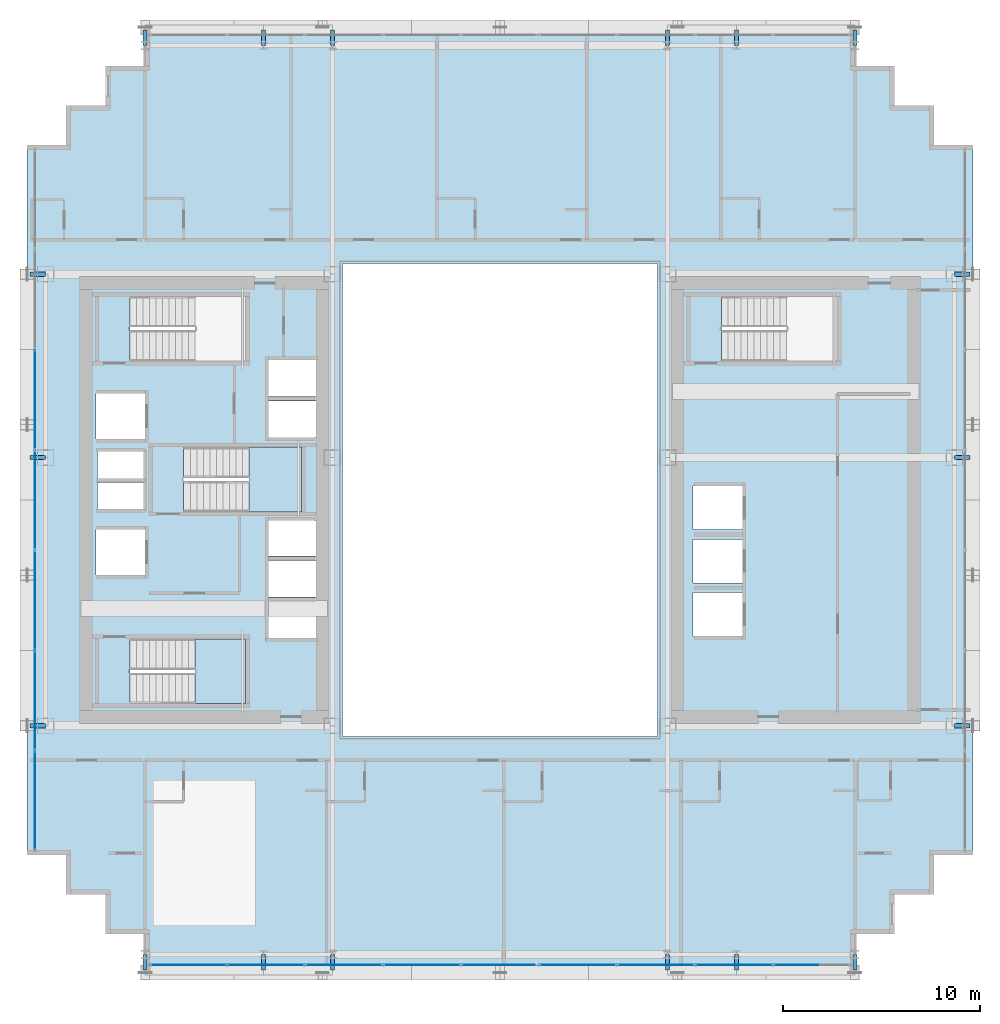
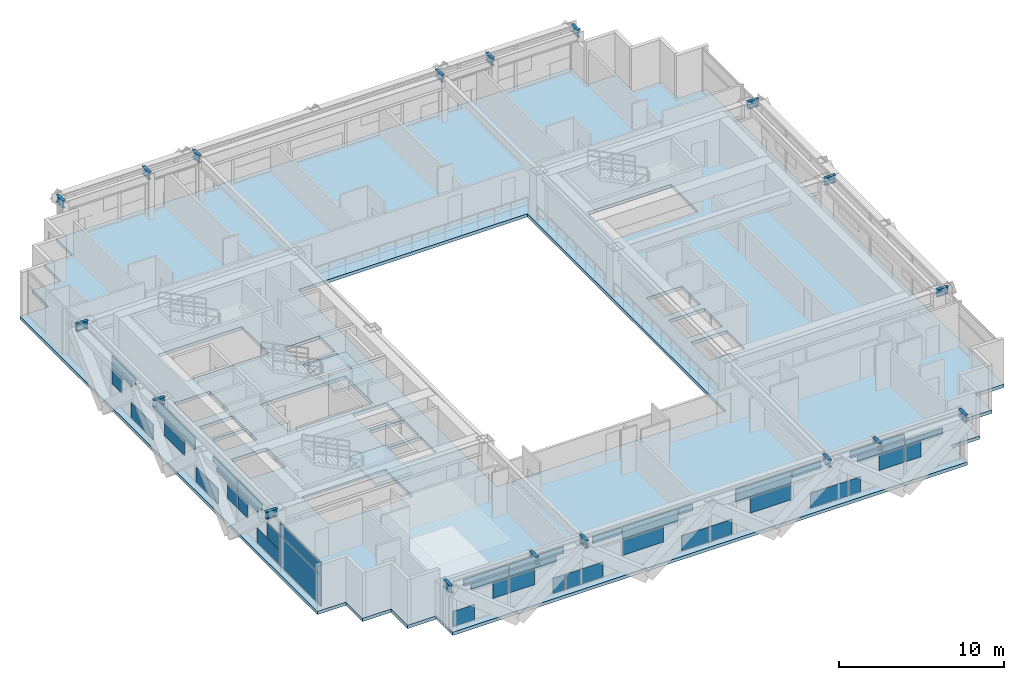
# One storey, part 23 of 34: 41 plates, 18 beams, 3 slabs, 4 elements without a shape of their own.
"""IFC4 building model written with IfcOpenShell, lengths in metres."""

from ifc_helpers import new_model, si_unit, direction, frame, origin, origin_2d, place, context, subcontext, project, spatial, polyline, rectangle, i_section, outline, extrude, source, transform, mapped, material, layer, layer_set, material_profile, profile_set, type_object, element, aggregate, save


model = new_model("IFC4")

# Units and contexts
model_context = context("Model", 3, precision=1e-05, world=origin(), true_north=direction((0.0, 1.0)))
body_context = subcontext(model_context, "Body", "Model", "MODEL_VIEW")
ifc_project = project(units=[si_unit("LENGTHUNIT", "METRE"), si_unit("AREAUNIT", "SQUARE_METRE"), si_unit("VOLUMEUNIT", "CUBIC_METRE"), si_unit("PLANEANGLEUNIT", "RADIAN"), si_unit("MASSUNIT", "GRAM", prefix="KILO")], contexts=[model_context])

# Site, building, storey
site_placement = place(None, origin())
site = spatial("IfcSite", under=ifc_project, at=site_placement, CompositionType="ELEMENT")
building_placement = place(site_placement, origin())
building = spatial("IfcBuilding", under=site, at=building_placement, Name="Ocotamira Hotel", CompositionType="ELEMENT")
storey_placement = place(building_placement, frame((0.0, 0.0, 108.0)))
storey = spatial("IfcBuildingStorey", under=building, at=storey_placement, Name="L26", CompositionType="ELEMENT", Elevation=108.0)

# Beams
ifc_material_1 = material(Name="Steel ASTM A992 Grade 50", Category="steel")
ifc_material_profile = material_profile(ifc_material_1, i_section(OverallWidth=0.2099609375, OverallDepth=0.537109375, WebThickness=0.010986328125, FlangeThickness=0.017333984375, FilletRadius=0.012939453125, at=origin_2d()), Name="W21X68")
ifc_profile_set = profile_set([ifc_material_profile], Name="Steel ASTM A992 Grade 50")
beam_type = type_object("IfcBeamType", Name="BM-SEC-W21X68", PredefinedType="JOIST", material=ifc_profile_set)
shared_shape_1 = source(origin(), body_context, "Body", "SweptSolid", [
    extrude(i_section(OverallWidth=0.2099609375, OverallDepth=0.537109375, WebThickness=0.010986328125, FlangeThickness=0.017333984375, FilletRadius=0.012939453125, at=origin_2d()), origin(), (0.0, 0.0, 1.0), 0.800048828125),
])
for number, where, z_axis, x_axis, name in (
    (1, (14.0, 2.949951171875, 3.091552734375), (0.0, -1.0, 0.0), (1.0, 0.0, 0.0), "L26 South Edge Header X14"),
    (2, (14.0, 49.050048828125, 3.091552734375), (0.0, 1.0, 0.0), (-1.0, 0.0, 0.0), "L26 North Edge Header X14"),
    (3, (20.0, 2.949951171875, 3.091552734375), (0.0, -1.0, 0.0), (1.0, 0.0, 0.0), "L26 South Edge Header X20"),
    (4, (20.0, 49.050048828125, 3.091552734375), (0.0, 1.0, 0.0), (-1.0, 0.0, 0.0), "L26 North Edge Header X20"),
    (5, (23.5, 2.949951171875, 3.091552734375), (0.0, -1.0, 0.0), (1.0, 0.0, 0.0), "L26 South Edge Header X23.5"),
    (6, (23.5, 49.050048828125, 3.091552734375), (0.0, 1.0, 0.0), (-1.0, 0.0, 0.0), "L26 North Edge Header X23.5"),
    (7, (40.5, 2.949951171875, 3.091552734375), (0.0, -1.0, 0.0), (1.0, 0.0, 0.0), "L26 South Edge Header X40.5"),
    (8, (40.5, 49.050048828125, 3.091552734375), (0.0, 1.0, 0.0), (-1.0, 0.0, 0.0), "L26 North Edge Header X40.5"),
    (9, (44.0, 2.949951171875, 3.091552734375), (0.0, -1.0, 0.0), (1.0, 0.0, 0.0), "L26 South Edge Header X44"),
    (10, (44.0, 49.050048828125, 3.091552734375), (0.0, 1.0, 0.0), (-1.0, 0.0, 0.0), "L26 North Edge Header X44"),
    (11, (50.0, 2.949951171875, 3.091552734375), (0.0, -1.0, 0.0), (1.0, 0.0, 0.0), "L26 South Edge Header X50"),
    (12, (50.0, 49.050048828125, 3.091552734375), (0.0, 1.0, 0.0), (-1.0, 0.0, 0.0), "L26 North Edge Header X50"),
    (13, (8.949951171875, 14.550048828125, 3.091552734375), (-1.0, 0.0, 0.0), (0.0, -1.0, 0.0), "L26 West Edge Header Y14.55"),
    (14, (55.050048828125, 14.550048828125, 3.091552734375), (1.0, 0.0, 0.0), (0.0, 1.0, 0.0), "L26 East Edge Header Y14.55"),
    (15, (8.949951171875, 28.14990234375, 3.091552734375), (-1.0, 0.0, 0.0), (0.0, -1.0, 0.0), "L26 West Edge Header Y28.15"),
    (16, (55.050048828125, 28.14990234375, 3.091552734375), (1.0, 0.0, 0.0), (0.0, 1.0, 0.0), "L26 East Edge Header Y28.15"),
    (17, (8.949951171875, 37.449951171875, 3.091552734375), (-1.0, 0.0, 0.0), (0.0, -1.0, 0.0), "L26 West Edge Header Y37.45"),
    (18, (55.050048828125, 37.449951171875, 3.091552734375), (1.0, 0.0, 0.0), (0.0, 1.0, 0.0), "L26 East Edge Header Y37.45"),
):
    element("IfcBeam", number, at=place(storey_placement, frame(where, z_axis=z_axis, x_axis=x_axis)), inside=storey, type_object=beam_type, Name=name, PredefinedType="JOIST", context=body_context, shape_type="MappedRepresentation", body=[
        mapped(shared_shape_1, transform((0.0, 0.0, 0.0), scale=1.0)),
    ])

# Stair, slab
ifc_material_2 = material(Name="Concrete C40/50", Category="concrete")
stair_type = type_object("IfcStairType", Name="ST-CORE-1560", PredefinedType="HALF_TURN_STAIR", material=ifc_material_2)
stair_1_placement = place(storey_placement, origin())
stair_1 = element("IfcStair", 19, at=stair_1_placement, inside=storey, type_object=stair_type, Name="L26 Exit Stair ST-1", PredefinedType="HALF_TURN_STAIR")
ifc_layer_1 = layer(ifc_material_2, 0.199951171875)
ifc_layer_set_1 = layer_set([ifc_layer_1], Name="Concrete C40/50")
slab_type_1 = type_object("IfcSlabType", Name="SLB-LAND-200", PredefinedType="LANDING", material=ifc_layer_set_1)
slab_1_placement = place(storey_placement, frame((0.0, 0.0, 1.60009765625)))
slab_1 = element("IfcSlab", 20, at=slab_1_placement, type_object=slab_type_1, Name="ST-1 landing 1", PredefinedType="LANDING", context=body_context, shape_type="SweptSolid", body=[
    extrude(outline(polyline([(16.530029296875, 15.669921875), (19.090087890625, 15.669921875), (19.090087890625, 18.949951171875), (16.530029296875, 18.949951171875), (16.530029296875, 15.669921875)])), origin(), (0.0, 0.0, 1.0), 0.199951171875),
])
aggregate(stair_1, [slab_1])

stair_2_placement = place(storey_placement, origin())
stair_2 = element("IfcStair", 21, at=stair_2_placement, inside=storey, type_object=stair_type, Name="L26 Exit Stair ST-3", PredefinedType="HALF_TURN_STAIR")
slab_2_placement = place(storey_placement, frame((0.0, 0.0, 1.60009765625)))
slab_2 = element("IfcSlab", 22, at=slab_2_placement, type_object=slab_type_1, Name="ST-3 landing 1", PredefinedType="LANDING", context=body_context, shape_type="SweptSolid", body=[
    extrude(outline(polyline([(19.260009765625, 25.39990234375), (21.919921875, 25.39990234375), (21.919921875, 28.679931640625), (19.260009765625, 28.679931640625), (19.260009765625, 25.39990234375)])), origin(), (0.0, 0.0, 1.0), 0.199951171875),
])
aggregate(stair_2, [slab_2])

# Slab
ifc_layer_2 = layer(ifc_material_2, 0.239990234375)
ifc_layer_set_2 = layer_set([ifc_layer_2], Name="Concrete C40/50")
slab_type_2 = type_object("IfcSlabType", Name="SLB-TYP-240", PredefinedType="FLOOR", material=ifc_layer_set_2)
slab_3_placement = place(storey_placement, frame((0.0, 0.0, -0.239990234375)))
element("IfcSlab", 23, at=slab_3_placement, inside=storey, type_object=slab_type_2, Name="L26 Structural Floor Slab", PredefinedType="FLOOR", context=body_context, shape_type="SweptSolid", body=[
    extrude(outline(polyline([(14.0, 2.0), (50.0, 2.0), (50.0, 4.0), (52.0, 4.0), (52.0, 6.0), (54.0, 6.0), (54.0, 8.0), (56.0, 8.0), (56.0, 44.0), (54.0, 44.0), (54.0, 46.0), (52.0, 46.0), (52.0, 48.0), (50.0, 48.0), (50.0, 50.0), (14.0, 50.0), (14.0, 48.0), (12.0, 48.0), (12.0, 46.0), (10.0, 46.0), (10.0, 44.0), (8.0, 44.0), (8.0, 8.0), (10.0, 8.0), (10.0, 6.0), (12.0, 6.0), (12.0, 4.0), (14.0, 4.0), (14.0, 2.0)]), holes=[polyline([(24.0, 14.0), (40.0, 14.0), (40.0, 38.0), (24.0, 38.0), (24.0, 14.0)]), polyline([(13.22998046875, 15.669921875), (19.090087890625, 15.669921875), (19.090087890625, 18.949951171875), (13.22998046875, 18.949951171875), (13.22998046875, 15.669921875)]), polyline([(13.22998046875, 33.050048828125), (19.090087890625, 33.050048828125), (19.090087890625, 36.330078125), (13.22998046875, 36.330078125), (13.22998046875, 33.050048828125)]), polyline([(15.9599609375, 25.39990234375), (21.919921875, 25.39990234375), (21.919921875, 28.679931640625), (15.9599609375, 28.679931640625), (15.9599609375, 25.39990234375)]), polyline([(43.22998046875, 33.050048828125), (49.090087890625, 33.050048828125), (49.090087890625, 36.330078125), (43.22998046875, 36.330078125), (43.22998046875, 33.050048828125)]), polyline([(41.800048828125, 19.10009765625), (44.300048828125, 19.10009765625), (44.300048828125, 21.300048828125), (41.800048828125, 21.300048828125), (41.800048828125, 19.10009765625)]), polyline([(41.800048828125, 21.800048828125), (44.300048828125, 21.800048828125), (44.300048828125, 24.0), (41.800048828125, 24.0), (41.800048828125, 21.800048828125)]), polyline([(41.800048828125, 24.5), (44.300048828125, 24.5), (44.300048828125, 26.699951171875), (41.800048828125, 26.699951171875), (41.800048828125, 24.5)]), polyline([(20.25, 19.0), (22.659912109375, 19.0), (22.659912109375, 20.85009765625), (20.25, 20.85009765625), (20.25, 19.0)]), polyline([(20.25, 21.080078125), (22.659912109375, 21.080078125), (22.659912109375, 22.929931640625), (20.25, 22.929931640625), (20.25, 21.080078125)]), polyline([(20.25, 23.159912109375), (22.659912109375, 23.159912109375), (22.659912109375, 24.9599609375), (20.25, 24.9599609375), (20.25, 23.159912109375)]), polyline([(20.25, 29.179931640625), (22.659912109375, 29.179931640625), (22.659912109375, 31.030029296875), (20.25, 31.030029296875), (20.25, 29.179931640625)]), polyline([(20.25, 31.260009765625), (22.659912109375, 31.260009765625), (22.659912109375, 33.110107421875), (20.25, 33.110107421875), (20.25, 31.260009765625)]), polyline([(11.5, 22.199951171875), (14.0, 22.199951171875), (14.0, 24.5), (11.5, 24.5), (11.5, 22.199951171875)]), polyline([(11.5, 29.10009765625), (14.0, 29.10009765625), (14.0, 31.39990234375), (11.5, 31.39990234375), (11.5, 29.10009765625)]), polyline([(11.580078125, 25.550048828125), (13.919921875, 25.550048828125), (13.919921875, 26.89990234375), (11.580078125, 26.89990234375), (11.580078125, 25.550048828125)]), polyline([(11.580078125, 27.10009765625), (13.919921875, 27.10009765625), (13.919921875, 28.449951171875), (11.580078125, 28.449951171875), (11.580078125, 27.10009765625)])]), origin(), (0.0, 0.0, 1.0), 0.239990234375),
])

# Curtain wall, plate
ifc_material_3 = material(Name="Anodised pale-metal aluminium and solar glass", Category="aluminium")
ifc_layer_3 = layer(ifc_material_3, 0.179931640625)
ifc_layer_set_3 = layer_set([ifc_layer_3], Name="Anodised pale-metal aluminium and solar glass")
curtain_wall_type = type_object("IfcCurtainWallType", Name="CW-SYS3-Z2", PredefinedType="NOTDEFINED", material=ifc_layer_set_3)
curtain_wall_1_placement = place(storey_placement, origin())
curtain_wall_1 = element("IfcCurtainWall", 24, at=curtain_wall_1_placement, inside=storey, type_object=curtain_wall_type, Name="L26 Curtain Wall CW-3 CW-L26-W", PredefinedType="NOTDEFINED")
ifc_material_4 = material(Name="Double-silver low-E insulated solar glass", Category="glass")
ifc_layer_4 = layer(ifc_material_4, 0.031982421875)
ifc_layer_set_4 = layer_set([ifc_layer_4], Name="Double-silver low-E insulated solar glass")
plate_type = type_object("IfcPlateType", Name="CWP-VISION-32", PredefinedType="CURTAIN_PANEL", material=ifc_layer_set_4)
shared_shape_2 = source(origin(), body_context, "Body", "SweptSolid", [
    extrude(rectangle(XDim=4.9658203125, YDim=0.031982421875, at=origin_2d()), origin(), (0.0, 0.0, 1.0), 2.237548828125),
])
plate_1_placement = place(storey_placement, frame((8.419921875, 10.762939453125, 0.0751953125), z_axis=(0.0, 0.0, 1.0), x_axis=(0.0, 1.0, 0.0)))
plate_1 = element("IfcPlate", 25, at=plate_1_placement, type_object=plate_type, Name="CW-3 panel 1.1", PredefinedType="CURTAIN_PANEL", context=body_context, shape_type="MappedRepresentation", body=[
    mapped(shared_shape_2, transform((0.0, 0.0, 0.0), scale=1.0)),
])

# Curtain wall, plates
curtain_wall_2_placement = place(storey_placement, origin())
curtain_wall_2 = element("IfcCurtainWall", 26, at=curtain_wall_2_placement, inside=storey, type_object=curtain_wall_type, Name="L26 Curtain Wall CW-3 CW-L26-S1", PredefinedType="NOTDEFINED")
shared_shape_3 = source(origin(), body_context, "Body", "SweptSolid", [
    extrude(rectangle(XDim=3.87548828125, YDim=0.031982421875, at=origin_2d()), origin(), (0.0, 0.0, 1.0), 0.8974609375),
])
plate_2_placement = place(storey_placement, frame((28.04443359375, 2.419921875, 2.387451171875), z_axis=(0.0, 0.0, 1.0), x_axis=(1.0, 0.0, 0.0)))
plate_2 = element("IfcPlate", 27, at=plate_2_placement, type_object=plate_type, Name="CW-3 panel 4.2", PredefinedType="CURTAIN_PANEL", context=body_context, shape_type="MappedRepresentation", body=[
    mapped(shared_shape_3, transform((0.0, 0.0, 0.0), scale=1.0)),
])
plate_3_placement = place(storey_placement, frame((35.95556640625, 2.419921875, 2.387451171875), z_axis=(0.0, 0.0, 1.0), x_axis=(1.0, 0.0, 0.0)))
plate_3 = element("IfcPlate", 28, at=plate_3_placement, type_object=plate_type, Name="CW-3 panel 6.2", PredefinedType="CURTAIN_PANEL", context=body_context, shape_type="MappedRepresentation", body=[
    mapped(shared_shape_3, transform((0.0, 0.0, 0.0), scale=1.0)),
])

# Plate
shared_shape_4 = source(origin(), body_context, "Body", "SweptSolid", [
    extrude(rectangle(XDim=4.9658203125, YDim=0.031982421875, at=origin_2d()), origin(), (0.0, 0.0, 1.0), 0.8974609375),
])
plate_4_placement = place(storey_placement, frame((8.419921875, 10.762939453125, 2.387451171875), z_axis=(0.0, 0.0, 1.0), x_axis=(0.0, 1.0, 0.0)))
plate_4 = element("IfcPlate", 29, at=plate_4_placement, type_object=plate_type, Name="CW-3 panel 1.2", PredefinedType="CURTAIN_PANEL", context=body_context, shape_type="MappedRepresentation", body=[
    mapped(shared_shape_4, transform((0.0, 0.0, 0.0), scale=1.0)),
])

shared_shape_5 = source(origin(), body_context, "Body", "SweptSolid", [
    extrude(rectangle(XDim=2.404296875, YDim=0.031982421875, at=origin_2d()), origin(), (0.0, 0.0, 1.0), 1.118896484375),
])
plate_5_placement = place(storey_placement, frame((8.419921875, 26.0, 1.19384765625), z_axis=(0.0, 0.0, 1.0), x_axis=(0.0, 1.0, 0.0)))
plate_5 = element("IfcPlate", 30, at=plate_5_placement, type_object=plate_type, Name="CW-3 panel 4.1.1", PredefinedType="CURTAIN_PANEL", context=body_context, shape_type="MappedRepresentation", body=[
    mapped(shared_shape_5, transform((0.0, 0.0, 0.0), scale=1.0)),
])

shared_shape_6 = source(origin(), body_context, "Body", "SweptSolid", [
    extrude(rectangle(XDim=3.104248046875, YDim=0.031982421875, at=origin_2d()), origin(), (0.0, 0.0, 1.0), 0.4716796875),
])
plate_6_placement = place(storey_placement, frame((16.5634765625, 2.419921875, 2.813232421875), z_axis=(0.0, 0.0, 1.0), x_axis=(1.0, 0.0, 0.0)))
plate_6 = element("IfcPlate", 31, at=plate_6_placement, type_object=plate_type, Name="CW-3 panel 1.2.1", PredefinedType="CURTAIN_PANEL", context=body_context, shape_type="MappedRepresentation", body=[
    mapped(shared_shape_6, transform((0.0, 0.0, 0.0), scale=1.0)),
])

shared_shape_7 = source(origin(), body_context, "Body", "SweptSolid", [
    extrude(rectangle(XDim=2.572021484375, YDim=0.031982421875, at=origin_2d()), origin(), (0.0, 0.0, 1.0), 0.39453125),
])
plate_7_placement = place(storey_placement, frame((16.82958984375, 2.419921875, 2.387451171875), z_axis=(0.0, 0.0, 1.0), x_axis=(1.0, 0.0, 0.0)))
plate_7 = element("IfcPlate", 32, at=plate_7_placement, type_object=plate_type, Name="CW-3 panel 1.2.2", PredefinedType="CURTAIN_PANEL", context=body_context, shape_type="MappedRepresentation", body=[
    mapped(shared_shape_7, transform((0.0, 0.0, 0.0), scale=1.0)),
])

plate_8_placement = place(storey_placement, frame((47.17041015625, 2.419921875, 2.387451171875), z_axis=(0.0, 0.0, 1.0), x_axis=(1.0, 0.0, 0.0)))
plate_8 = element("IfcPlate", 33, at=plate_8_placement, type_object=plate_type, Name="CW-3 panel 9.2.1", PredefinedType="CURTAIN_PANEL", context=body_context, shape_type="MappedRepresentation", body=[
    mapped(shared_shape_7, transform((0.0, 0.0, 0.0), scale=1.0)),
])

shared_shape_8 = source(origin(), body_context, "Body", "SweptSolid", [
    extrude(rectangle(XDim=3.260986328125, YDim=0.031982421875, at=origin_2d()), origin(), (0.0, 0.0, 1.0), 0.42578125),
])
plate_9_placement = place(storey_placement, frame((19.826171875, 2.419921875, 2.387451171875), z_axis=(0.0, 0.0, 1.0), x_axis=(1.0, 0.0, 0.0)))
plate_9 = element("IfcPlate", 34, at=plate_9_placement, type_object=plate_type, Name="CW-3 panel 2.2.1", PredefinedType="CURTAIN_PANEL", context=body_context, shape_type="MappedRepresentation", body=[
    mapped(shared_shape_8, transform((0.0, 0.0, 0.0), scale=1.0)),
])

plate_10_placement = place(storey_placement, frame((44.173828125, 2.419921875, 2.387451171875), z_axis=(0.0, 0.0, 1.0), x_axis=(1.0, 0.0, 0.0)))
plate_10 = element("IfcPlate", 35, at=plate_10_placement, type_object=plate_type, Name="CW-3 panel 8.2.2", PredefinedType="CURTAIN_PANEL", context=body_context, shape_type="MappedRepresentation", body=[
    mapped(shared_shape_8, transform((0.0, 0.0, 0.0), scale=1.0)),
])

shared_shape_9 = source(origin(), body_context, "Body", "SweptSolid", [
    extrude(rectangle(XDim=3.793212890625, YDim=0.031982421875, at=origin_2d()), origin(), (0.0, 0.0, 1.0), 0.4716796875),
])
plate_11_placement = place(storey_placement, frame((20.09228515625, 2.419921875, 2.813232421875), z_axis=(0.0, 0.0, 1.0), x_axis=(1.0, 0.0, 0.0)))
plate_11 = element("IfcPlate", 36, at=plate_11_placement, type_object=plate_type, Name="CW-3 panel 2.2.2", PredefinedType="CURTAIN_PANEL", context=body_context, shape_type="MappedRepresentation", body=[
    mapped(shared_shape_9, transform((0.0, 0.0, 0.0), scale=1.0)),
])

plate_12_placement = place(storey_placement, frame((43.90771484375, 2.419921875, 2.813232421875), z_axis=(0.0, 0.0, 1.0), x_axis=(1.0, 0.0, 0.0)))
plate_12 = element("IfcPlate", 37, at=plate_12_placement, type_object=plate_type, Name="CW-3 panel 8.2.1", PredefinedType="CURTAIN_PANEL", context=body_context, shape_type="MappedRepresentation", body=[
    mapped(shared_shape_9, transform((0.0, 0.0, 0.0), scale=1.0)),
])

shared_shape_10 = source(origin(), body_context, "Body", "SweptSolid", [
    extrude(rectangle(XDim=2.015380859375, YDim=0.031982421875, at=origin_2d()), origin(), (0.0, 0.0, 1.0), 0.4716796875),
])
plate_13_placement = place(storey_placement, frame((25.018798828125, 2.419921875, 2.813232421875), z_axis=(0.0, 0.0, 1.0), x_axis=(1.0, 0.0, 0.0)))
plate_13 = element("IfcPlate", 38, at=plate_13_placement, type_object=plate_type, Name="CW-3 panel 3.2.1", PredefinedType="CURTAIN_PANEL", context=body_context, shape_type="MappedRepresentation", body=[
    mapped(shared_shape_10, transform((0.0, 0.0, 0.0), scale=1.0)),
])

plate_14_placement = place(storey_placement, frame((38.981201171875, 2.419921875, 2.813232421875), z_axis=(0.0, 0.0, 1.0), x_axis=(1.0, 0.0, 0.0)))
plate_14 = element("IfcPlate", 39, at=plate_14_placement, type_object=plate_type, Name="CW-3 panel 7.2.1", PredefinedType="CURTAIN_PANEL", context=body_context, shape_type="MappedRepresentation", body=[
    mapped(shared_shape_10, transform((0.0, 0.0, 0.0), scale=1.0)),
])

shared_shape_11 = source(origin(), body_context, "Body", "SweptSolid", [
    extrude(rectangle(XDim=0.926513671875, YDim=0.031982421875, at=origin_2d()), origin(), (0.0, 0.0, 1.0), 0.4716796875),
])
plate_15_placement = place(storey_placement, frame((30.525390625, 2.419921875, 2.813232421875), z_axis=(0.0, 0.0, 1.0), x_axis=(1.0, 0.0, 0.0)))
plate_15 = element("IfcPlate", 40, at=plate_15_placement, type_object=plate_type, Name="CW-3 panel 5.2.1", PredefinedType="CURTAIN_PANEL", context=body_context, shape_type="MappedRepresentation", body=[
    mapped(shared_shape_11, transform((0.0, 0.0, 0.0), scale=1.0)),
])

shared_shape_12 = source(origin(), body_context, "Body", "SweptSolid", [
    extrude(rectangle(XDim=2.908203125, YDim=0.031982421875, at=origin_2d()), origin(), (0.0, 0.0, 1.0), 0.44873046875),
])
plate_16_placement = place(storey_placement, frame((8.419921875, 16.877197265625, 2.836181640625), z_axis=(0.0, 0.0, 1.0), x_axis=(0.0, 1.0, 0.0)))
plate_16 = element("IfcPlate", 41, at=plate_16_placement, type_object=plate_type, Name="CW-3 panel 2.2.1", PredefinedType="CURTAIN_PANEL", context=body_context, shape_type="MappedRepresentation", body=[
    mapped(shared_shape_12, transform((0.0, 0.0, 0.0), scale=1.0)),
])

shared_shape_13 = source(origin(), body_context, "Body", "SweptSolid", [
    extrude(rectangle(XDim=2.4326171875, YDim=0.031982421875, at=origin_2d()), origin(), (0.0, 0.0, 1.0), 0.414306640625),
])
plate_17_placement = place(storey_placement, frame((8.419921875, 17.115234375, 2.3876953125), z_axis=(0.0, 0.0, 1.0), x_axis=(0.0, 1.0, 0.0)))
plate_17 = element("IfcPlate", 42, at=plate_17_placement, type_object=plate_type, Name="CW-3 panel 2.2.2", PredefinedType="CURTAIN_PANEL", context=body_context, shape_type="MappedRepresentation", body=[
    mapped(shared_shape_13, transform((0.0, 0.0, 0.0), scale=1.0)),
])

shared_shape_14 = source(origin(), body_context, "Body", "SweptSolid", [
    extrude(rectangle(XDim=2.4228515625, YDim=0.031982421875, at=origin_2d()), origin(), (0.0, 0.0, 1.0), 0.414306640625),
])
plate_18_placement = place(storey_placement, frame((8.419921875, 19.622802734375, 2.3876953125), z_axis=(0.0, 0.0, 1.0), x_axis=(0.0, 1.0, 0.0)))
plate_18 = element("IfcPlate", 43, at=plate_18_placement, type_object=plate_type, Name="CW-3 panel 3.2.1", PredefinedType="CURTAIN_PANEL", context=body_context, shape_type="MappedRepresentation", body=[
    mapped(shared_shape_14, transform((0.0, 0.0, 0.0), scale=1.0)),
])

plate_19_placement = place(storey_placement, frame((8.419921875, 32.377197265625, 2.3876953125), z_axis=(0.0, 0.0, 1.0), x_axis=(0.0, 1.0, 0.0)))
plate_19 = element("IfcPlate", 44, at=plate_19_placement, type_object=plate_type, Name="CW-3 panel 5.2.2", PredefinedType="CURTAIN_PANEL", context=body_context, shape_type="MappedRepresentation", body=[
    mapped(shared_shape_14, transform((0.0, 0.0, 0.0), scale=1.0)),
])

shared_shape_15 = source(origin(), body_context, "Body", "SweptSolid", [
    extrude(rectangle(XDim=2.898681640625, YDim=0.031982421875, at=origin_2d()), origin(), (0.0, 0.0, 1.0), 0.44873046875),
])
plate_20_placement = place(storey_placement, frame((8.419921875, 19.860595703125, 2.836181640625), z_axis=(0.0, 0.0, 1.0), x_axis=(0.0, 1.0, 0.0)))
plate_20 = element("IfcPlate", 45, at=plate_20_placement, type_object=plate_type, Name="CW-3 panel 3.2.2", PredefinedType="CURTAIN_PANEL", context=body_context, shape_type="MappedRepresentation", body=[
    mapped(shared_shape_15, transform((0.0, 0.0, 0.0), scale=1.0)),
])

plate_21_placement = place(storey_placement, frame((8.419921875, 32.139404296875, 2.836181640625), z_axis=(0.0, 0.0, 1.0), x_axis=(0.0, 1.0, 0.0)))
plate_21 = element("IfcPlate", 46, at=plate_21_placement, type_object=plate_type, Name="CW-3 panel 5.2.1", PredefinedType="CURTAIN_PANEL", context=body_context, shape_type="MappedRepresentation", body=[
    mapped(shared_shape_15, transform((0.0, 0.0, 0.0), scale=1.0)),
])

shared_shape_16 = source(origin(), body_context, "Body", "SweptSolid", [
    extrude(rectangle(XDim=5.005615234375, YDim=0.031982421875, at=origin_2d()), origin(), (0.0, 0.0, 1.0), 0.8974609375),
])
plate_22_placement = place(storey_placement, frame((8.419921875, 26.0, 2.387451171875), z_axis=(0.0, 0.0, 1.0), x_axis=(0.0, 1.0, 0.0)))
plate_22 = element("IfcPlate", 47, at=plate_22_placement, type_object=plate_type, Name="CW-3 panel 4.2", PredefinedType="CURTAIN_PANEL", context=body_context, shape_type="MappedRepresentation", body=[
    mapped(shared_shape_16, transform((0.0, 0.0, 0.0), scale=1.0)),
])

shared_shape_17 = source(origin(), body_context, "Body", "SweptSolid", [
    extrude(rectangle(XDim=1.47509765625, YDim=0.031982421875, at=origin_2d()), origin(), (0.0, 0.0, 1.0), 1.11865234375),
])
plate_23_placement = place(storey_placement, frame((15.017578125, 2.419921875, 0.0751953125), z_axis=(0.0, 0.0, 1.0), x_axis=(1.0, 0.0, 0.0)))
plate_23 = element("IfcPlate", 48, at=plate_23_placement, type_object=plate_type, Name="CW-3 panel 1.1.1", PredefinedType="CURTAIN_PANEL", context=body_context, shape_type="MappedRepresentation", body=[
    mapped(shared_shape_17, transform((0.0, 0.0, 0.0), scale=1.0)),
])

shared_shape_18 = source(origin(), body_context, "Body", "SweptSolid", [
    extrude(rectangle(XDim=1.079833984375, YDim=0.031982421875, at=origin_2d()), origin(), (0.0, 0.0, 1.0), 1.118896484375),
])
plate_24_placement = place(storey_placement, frame((17.57568359375, 2.419921875, 1.19384765625), z_axis=(0.0, 0.0, 1.0), x_axis=(1.0, 0.0, 0.0)))
plate_24 = element("IfcPlate", 49, at=plate_24_placement, type_object=plate_type, Name="CW-3 panel 1.1.2", PredefinedType="CURTAIN_PANEL", context=body_context, shape_type="MappedRepresentation", body=[
    mapped(shared_shape_18, transform((0.0, 0.0, 0.0), scale=1.0)),
])

plate_25_placement = place(storey_placement, frame((46.42431640625, 2.419921875, 1.19384765625), z_axis=(0.0, 0.0, 1.0), x_axis=(1.0, 0.0, 0.0)))
plate_25 = element("IfcPlate", 50, at=plate_25_placement, type_object=plate_type, Name="CW-3 panel 9.1.1", PredefinedType="CURTAIN_PANEL", context=body_context, shape_type="MappedRepresentation", body=[
    mapped(shared_shape_18, transform((0.0, 0.0, 0.0), scale=1.0)),
])

shared_shape_19 = source(origin(), body_context, "Body", "SweptSolid", [
    extrude(rectangle(XDim=1.768798828125, YDim=0.031982421875, at=origin_2d()), origin(), (0.0, 0.0, 1.0), 1.118896484375),
])
plate_26_placement = place(storey_placement, frame((19.080078125, 2.419921875, 1.19384765625), z_axis=(0.0, 0.0, 1.0), x_axis=(1.0, 0.0, 0.0)))
plate_26 = element("IfcPlate", 51, at=plate_26_placement, type_object=plate_type, Name="CW-3 panel 2.1.1", PredefinedType="CURTAIN_PANEL", context=body_context, shape_type="MappedRepresentation", body=[
    mapped(shared_shape_19, transform((0.0, 0.0, 0.0), scale=1.0)),
])

plate_27_placement = place(storey_placement, frame((44.919921875, 2.419921875, 1.19384765625), z_axis=(0.0, 0.0, 1.0), x_axis=(1.0, 0.0, 0.0)))
plate_27 = element("IfcPlate", 52, at=plate_27_placement, type_object=plate_type, Name="CW-3 panel 8.1.2", PredefinedType="CURTAIN_PANEL", context=body_context, shape_type="MappedRepresentation", body=[
    mapped(shared_shape_19, transform((0.0, 0.0, 0.0), scale=1.0)),
])

shared_shape_20 = source(origin(), body_context, "Body", "SweptSolid", [
    extrude(rectangle(XDim=0.826171875, YDim=0.031982421875, at=origin_2d()), origin(), (0.0, 0.0, 1.0), 1.11865234375),
])
plate_28_placement = place(storey_placement, frame((21.658203125, 2.419921875, 0.0751953125), z_axis=(0.0, 0.0, 1.0), x_axis=(1.0, 0.0, 0.0)))
plate_28 = element("IfcPlate", 53, at=plate_28_placement, type_object=plate_type, Name="CW-3 panel 2.1.2", PredefinedType="CURTAIN_PANEL", context=body_context, shape_type="MappedRepresentation", body=[
    mapped(shared_shape_20, transform((0.0, 0.0, 0.0), scale=1.0)),
])

plate_29_placement = place(storey_placement, frame((42.341796875, 2.419921875, 0.0751953125), z_axis=(0.0, 0.0, 1.0), x_axis=(1.0, 0.0, 0.0)))
plate_29 = element("IfcPlate", 54, at=plate_29_placement, type_object=plate_type, Name="CW-3 panel 8.1.1", PredefinedType="CURTAIN_PANEL", context=body_context, shape_type="MappedRepresentation", body=[
    mapped(shared_shape_20, transform((0.0, 0.0, 0.0), scale=1.0)),
])

shared_shape_21 = source(origin(), body_context, "Body", "SweptSolid", [
    extrude(rectangle(XDim=2.60400390625, YDim=0.031982421875, at=origin_2d()), origin(), (0.0, 0.0, 1.0), 1.11865234375),
])
plate_30_placement = place(storey_placement, frame((23.453125, 2.419921875, 0.0751953125), z_axis=(0.0, 0.0, 1.0), x_axis=(1.0, 0.0, 0.0)))
plate_30 = element("IfcPlate", 55, at=plate_30_placement, type_object=plate_type, Name="CW-3 panel 3.1.1", PredefinedType="CURTAIN_PANEL", context=body_context, shape_type="MappedRepresentation", body=[
    mapped(shared_shape_21, transform((0.0, 0.0, 0.0), scale=1.0)),
])

plate_31_placement = place(storey_placement, frame((40.546875, 2.419921875, 0.0751953125), z_axis=(0.0, 0.0, 1.0), x_axis=(1.0, 0.0, 0.0)))
plate_31 = element("IfcPlate", 56, at=plate_31_placement, type_object=plate_type, Name="CW-3 panel 7.1.1", PredefinedType="CURTAIN_PANEL", context=body_context, shape_type="MappedRepresentation", body=[
    mapped(shared_shape_21, transform((0.0, 0.0, 0.0), scale=1.0)),
])

shared_shape_22 = source(origin(), body_context, "Body", "SweptSolid", [
    extrude(rectangle(XDim=2.857666015625, YDim=0.031982421875, at=origin_2d()), origin(), (0.0, 0.0, 1.0), 1.118896484375),
])
plate_32_placement = place(storey_placement, frame((27.535400390625, 2.419921875, 1.19384765625), z_axis=(0.0, 0.0, 1.0), x_axis=(1.0, 0.0, 0.0)))
plate_32 = element("IfcPlate", 57, at=plate_32_placement, type_object=plate_type, Name="CW-3 panel 4.1.1", PredefinedType="CURTAIN_PANEL", context=body_context, shape_type="MappedRepresentation", body=[
    mapped(shared_shape_22, transform((0.0, 0.0, 0.0), scale=1.0)),
])

plate_33_placement = place(storey_placement, frame((36.464599609375, 2.419921875, 1.19384765625), z_axis=(0.0, 0.0, 1.0), x_axis=(1.0, 0.0, 0.0)))
plate_33 = element("IfcPlate", 58, at=plate_33_placement, type_object=plate_type, Name="CW-3 panel 6.1.1", PredefinedType="CURTAIN_PANEL", context=body_context, shape_type="MappedRepresentation", body=[
    mapped(shared_shape_22, transform((0.0, 0.0, 0.0), scale=1.0)),
])

shared_shape_23 = source(origin(), body_context, "Body", "SweptSolid", [
    extrude(rectangle(XDim=3.510009765625, YDim=0.031982421875, at=origin_2d()), origin(), (0.0, 0.0, 1.0), 1.11865234375),
])
plate_34_placement = place(storey_placement, frame((32.0, 2.419921875, 0.0751953125), z_axis=(0.0, 0.0, 1.0), x_axis=(1.0, 0.0, 0.0)))
plate_34 = element("IfcPlate", 59, at=plate_34_placement, type_object=plate_type, Name="CW-3 panel 5.1.1", PredefinedType="CURTAIN_PANEL", context=body_context, shape_type="MappedRepresentation", body=[
    mapped(shared_shape_23, transform((0.0, 0.0, 0.0), scale=1.0)),
])

aggregate(curtain_wall_2, [plate_23, plate_24, plate_6, plate_7, plate_26, plate_28, plate_9, plate_11, plate_30, plate_13, plate_32, plate_2, plate_34, plate_15, plate_33, plate_3, plate_31, plate_14, plate_29, plate_27, plate_12, plate_10, plate_25, plate_8])

shared_shape_24 = source(origin(), body_context, "Body", "SweptSolid", [
    extrude(rectangle(XDim=2.6728515625, YDim=0.031982421875, at=origin_2d()), origin(), (0.0, 0.0, 1.0), 1.11865234375),
])
plate_35_placement = place(storey_placement, frame((8.419921875, 14.662109375, 0.0751953125), z_axis=(0.0, 0.0, 1.0), x_axis=(0.0, 1.0, 0.0)))
plate_35 = element("IfcPlate", 60, at=plate_35_placement, type_object=plate_type, Name="CW-3 panel 2.1.1", PredefinedType="CURTAIN_PANEL", context=body_context, shape_type="MappedRepresentation", body=[
    mapped(shared_shape_24, transform((0.0, 0.0, 0.0), scale=1.0)),
])

shared_shape_25 = source(origin(), body_context, "Body", "SweptSolid", [
    extrude(rectangle(XDim=1.48681640625, YDim=0.031982421875, at=origin_2d()), origin(), (0.0, 0.0, 1.0), 1.118896484375),
])
plate_36_placement = place(storey_placement, frame((8.419921875, 14.069091796875, 1.19384765625), z_axis=(0.0, 0.0, 1.0), x_axis=(0.0, 1.0, 0.0)))
plate_36 = element("IfcPlate", 61, at=plate_36_placement, type_object=plate_type, Name="CW-3 panel 2.1.2", PredefinedType="CURTAIN_PANEL", context=body_context, shape_type="MappedRepresentation", body=[
    mapped(shared_shape_25, transform((0.0, 0.0, 0.0), scale=1.0)),
])

shared_shape_26 = source(origin(), body_context, "Body", "SweptSolid", [
    extrude(rectangle(XDim=1.1669921875, YDim=0.031982421875, at=origin_2d()), origin(), (0.0, 0.0, 1.0), 1.118896484375),
])
plate_37_placement = place(storey_placement, frame((8.419921875, 17.748046875, 1.19384765625), z_axis=(0.0, 0.0, 1.0), x_axis=(0.0, 1.0, 0.0)))
plate_37 = element("IfcPlate", 62, at=plate_37_placement, type_object=plate_type, Name="CW-3 panel 2.1.3", PredefinedType="CURTAIN_PANEL", context=body_context, shape_type="MappedRepresentation", body=[
    mapped(shared_shape_26, transform((0.0, 0.0, 0.0), scale=1.0)),
])

shared_shape_27 = source(origin(), body_context, "Body", "SweptSolid", [
    extrude(rectangle(XDim=1.1572265625, YDim=0.031982421875, at=origin_2d()), origin(), (0.0, 0.0, 1.0), 1.118896484375),
])
plate_38_placement = place(storey_placement, frame((8.419921875, 18.989990234375, 1.19384765625), z_axis=(0.0, 0.0, 1.0), x_axis=(0.0, 1.0, 0.0)))
plate_38 = element("IfcPlate", 63, at=plate_38_placement, type_object=plate_type, Name="CW-3 panel 3.1.1", PredefinedType="CURTAIN_PANEL", context=body_context, shape_type="MappedRepresentation", body=[
    mapped(shared_shape_27, transform((0.0, 0.0, 0.0), scale=1.0)),
])

plate_39_placement = place(storey_placement, frame((8.419921875, 33.010009765625, 1.19384765625), z_axis=(0.0, 0.0, 1.0), x_axis=(0.0, 1.0, 0.0)))
plate_39 = element("IfcPlate", 64, at=plate_39_placement, type_object=plate_type, Name="CW-3 panel 5.1.2", PredefinedType="CURTAIN_PANEL", context=body_context, shape_type="MappedRepresentation", body=[
    mapped(shared_shape_27, transform((0.0, 0.0, 0.0), scale=1.0)),
])

shared_shape_28 = source(origin(), body_context, "Body", "SweptSolid", [
    extrude(rectangle(XDim=2.6826171875, YDim=0.031982421875, at=origin_2d()), origin(), (0.0, 0.0, 1.0), 1.11865234375),
])
plate_40_placement = place(storey_placement, frame((8.419921875, 22.075927734375, 0.0751953125), z_axis=(0.0, 0.0, 1.0), x_axis=(0.0, 1.0, 0.0)))
plate_40 = element("IfcPlate", 65, at=plate_40_placement, type_object=plate_type, Name="CW-3 panel 3.1.2", PredefinedType="CURTAIN_PANEL", context=body_context, shape_type="MappedRepresentation", body=[
    mapped(shared_shape_28, transform((0.0, 0.0, 0.0), scale=1.0)),
])

plate_41_placement = place(storey_placement, frame((8.419921875, 29.924072265625, 0.0751953125), z_axis=(0.0, 0.0, 1.0), x_axis=(0.0, 1.0, 0.0)))
plate_41 = element("IfcPlate", 66, at=plate_41_placement, type_object=plate_type, Name="CW-3 panel 5.1.1", PredefinedType="CURTAIN_PANEL", context=body_context, shape_type="MappedRepresentation", body=[
    mapped(shared_shape_28, transform((0.0, 0.0, 0.0), scale=1.0)),
])

aggregate(curtain_wall_1, [plate_1, plate_4, plate_35, plate_36, plate_37, plate_16, plate_17, plate_38, plate_40, plate_18, plate_20, plate_5, plate_22, plate_41, plate_39, plate_21, plate_19])

save(model, "model.ifc")
